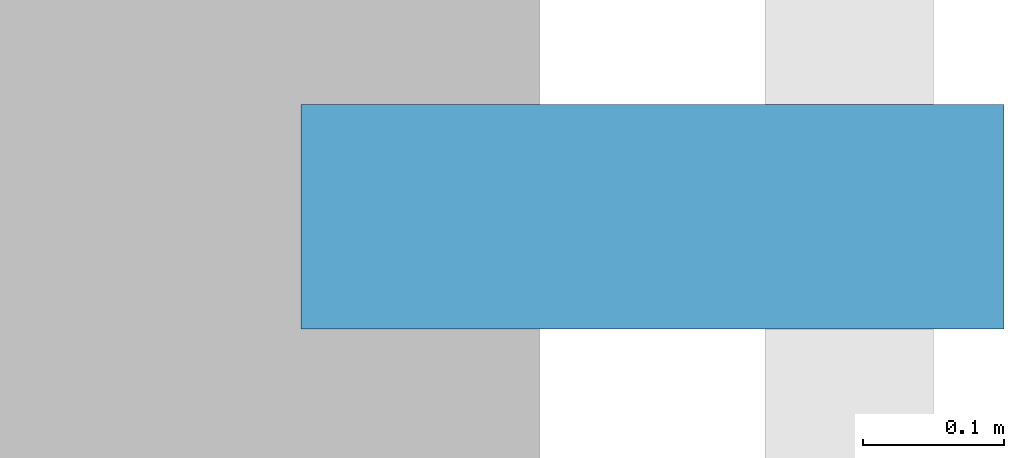
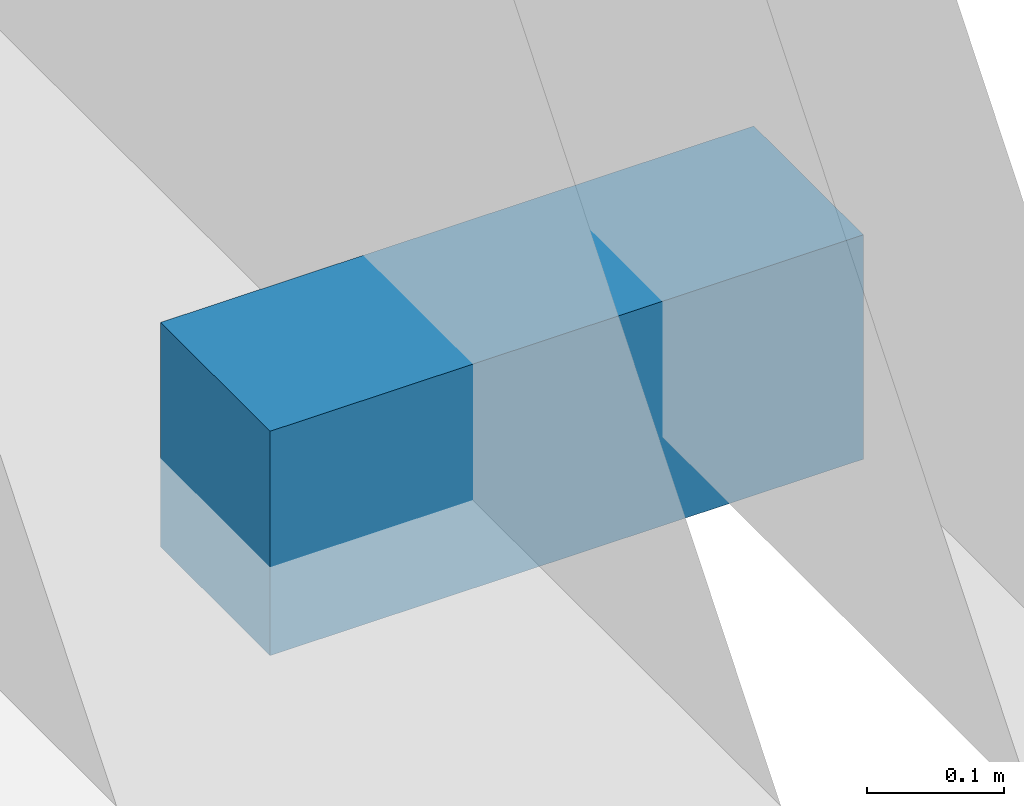
# One storey, part 34 of 40: 1 discrete accessory.
"""IFC4 building model written with IfcOpenShell, lengths in metres."""

import ifcopenshell
import ifcopenshell.guid

model = None  # the IFC model being written
_history = None  # IfcOwnerHistory: only IFC2X3 demands one
_inside = {}  # id of a spatial element -> (the spatial element, [elements in it])
_under = {}  # id of a project, library or spatial element -> (it, [spatial elements below it])
_declared = {}  # id of a project -> (the project, [libraries it declares])
_typed = {}  # id of a type object -> (the type object, [elements of that type])
_made_of = {}  # id of a material, layer set ... -> (it, [elements and type objects made of it])


def new_model(schema):
    """Start an empty IFC model of exactly this schema.

    Asked for "IFC4X3", IfcOpenShell would pick the latest addendum, in which some entities
    have other attributes; the version numbers below select the first issue.
    IFC2X3 requires an IfcOwnerHistory on every rooted entity: one is made here for all.
    """
    global model, _history
    if schema == "IFC4X3":
        model = ifcopenshell.file(schema_version=(4, 3, 0, 0))
    else:
        model = ifcopenshell.file(schema=schema)
    _inside.clear()
    _under.clear()
    _declared.clear()
    _typed.clear()
    _made_of.clear()
    _history = None
    if model.schema == "IFC2X3":
        org = make("IfcOrganization", Name="unknown")
        user = make(
            "IfcPersonAndOrganization",
            ThePerson=make("IfcPerson", FamilyName="unknown"),
            TheOrganization=org,
        )
        app = make(
            "IfcApplication",
            ApplicationDeveloper=org,
            Version="unknown",
            ApplicationFullName="unknown",
            ApplicationIdentifier="unknown",
        )
        _history = make(
            "IfcOwnerHistory",
            OwningUser=user,
            OwningApplication=app,
            ChangeAction="ADDED",
            CreationDate=0,
        )
    return model


def make(cls, **values):
    """One entity of the class cls with the attributes given. An attribute that is None is left unset."""
    return model.create_entity(
        cls, **{name: value for name, value in values.items() if value is not None}
    )


def rooted(cls, **values):
    """An entity with a GlobalId (a new one), such as an element, a storey or a relation."""
    return make(cls, GlobalId=ifcopenshell.guid.new(), OwnerHistory=_history, **values)


def si_unit(unit_type, name, prefix=None):
    """IfcSIUnit, for example si_unit("LENGTHUNIT", "METRE", prefix="MILLI")."""
    return make("IfcSIUnit", UnitType=unit_type, Prefix=prefix, Name=name)


def assignment(units):
    """IfcUnitAssignment: the units of a project."""
    return None if units is None else make("IfcUnitAssignment", Units=units)


def point(xyz):
    """IfcCartesianPoint."""
    return None if xyz is None else make("IfcCartesianPoint", Coordinates=xyz)


def direction(xyz):
    """IfcDirection."""
    return None if xyz is None else make("IfcDirection", DirectionRatios=xyz)


def frame(location, z_axis=None, x_axis=None):
    """IfcAxis2Placement3D, a coordinate frame: its origin and axes. An axis left out is left unset."""
    return make(
        "IfcAxis2Placement3D",
        Location=point(location),
        Axis=direction(z_axis),
        RefDirection=direction(x_axis),
    )


def frame_2d(location, x_axis=None):
    """IfcAxis2Placement2D, a coordinate frame in the plane: its origin and x axis."""
    return make(
        "IfcAxis2Placement2D", Location=point(location), RefDirection=direction(x_axis)
    )


def origin():
    """The frame at (0, 0, 0) with its axes left unset."""
    return frame((0.0, 0.0, 0.0))


def origin_2d():
    """The frame at (0, 0) in the plane with its x axis left unset."""
    return frame_2d((0.0, 0.0))


def place(relative_to, where):
    """IfcLocalPlacement: puts the frame where relative to a parent placement (None: the world)."""
    return make(
        "IfcLocalPlacement", PlacementRelTo=relative_to, RelativePlacement=where
    )


def context(
    kind, dimensions, precision=None, world=None, true_north=None, identifier=None
):
    """IfcGeometricRepresentationContext, for example the 3D "Model" context."""
    return make(
        "IfcGeometricRepresentationContext",
        ContextIdentifier=identifier,
        ContextType=kind,
        CoordinateSpaceDimension=dimensions,
        Precision=precision,
        WorldCoordinateSystem=world,
        TrueNorth=true_north,
    )


def subcontext(parent, identifier, kind, view, scale=None):
    """IfcGeometricRepresentationSubContext, for example "Body" below "Model"."""
    return make(
        "IfcGeometricRepresentationSubContext",
        ContextIdentifier=identifier,
        ContextType=kind,
        ParentContext=parent,
        TargetScale=scale,
        TargetView=view,
    )


def project(units=None, contexts=None):
    """IfcProject with its units and contexts."""
    return rooted(
        "IfcProject",
        Name="project",
        RepresentationContexts=contexts,
        UnitsInContext=assignment(units),
    )


def spatial(cls, under=None, at=None, **own):
    """A site, building, storey or space (cls), placed at a placement, below another one or the project."""
    s = rooted(cls, ObjectPlacement=at, **own)
    if under is not None:
        _under.setdefault(under.id(), (under, []))[1].append(s)
    return s


def profile(cls, at=None, kind="AREA", **sizes):
    """A parametric profile (cls). Its sizes go by their IFC names, for example OverallWidth=200.0."""
    return make(cls, ProfileType=kind, Position=at, **sizes)


def rectangle(**sizes):
    """IfcRectangleProfileDef."""
    return profile("IfcRectangleProfileDef", **sizes)


def extrude(swept, where, along, depth):
    """IfcExtrudedAreaSolid: the profile swept, set in the frame where, extruded along a direction by depth."""
    return make(
        "IfcExtrudedAreaSolid",
        SweptArea=swept,
        Position=where,
        ExtrudedDirection=direction(along),
        Depth=depth,
    )


def shape(context_of_items, identifier, shape_type, items):
    """IfcShapeRepresentation: the items that make up one representation, for example the "Body"."""
    return make(
        "IfcShapeRepresentation",
        ContextOfItems=context_of_items,
        RepresentationIdentifier=identifier,
        RepresentationType=shape_type,
        Items=items,
    )


def material(Name=None, Category=None):
    """IfcMaterial."""
    return make("IfcMaterial", Name=Name, Category=Category)


def made_of(thing, what):
    """Note that an element or type object is made of a material, layer set ...; save() writes the relation."""
    if what is not None:
        _made_of.setdefault(what.id(), (what, []))[1].append(thing)
    return thing


def type_object(cls, material=None, **own):
    """A type object (cls), such as IfcWallType, which elements share."""
    return made_of(rooted(cls, **own), material)


def element(
    cls,
    number,
    at=None,
    inside=None,
    cuts=None,
    type_object=None,
    material=None,
    context=None,
    identifier="Body",
    shape_type=None,
    held_by="IfcProductDefinitionShape",
    body=None,
    shapes=None,
    **own,
):
    """One element of the class cls, such as IfcWall. Its Tag is "e" and its number.

    at: its placement. inside: the storey or other place that contains it. cuts: it is an
    opening in that element (IfcRelVoidsElement). A single representation is given by context,
    identifier, shape_type and body (its items); several are given by shapes. held_by: the class
    of the entity that holds the representations. save() writes the other relations.
    """
    e = rooted(cls, Tag="e%d" % number, ObjectPlacement=at, **own)
    if body is not None:
        shapes = [shape(context, identifier, shape_type, body)]
    if shapes is not None:
        e.Representation = make(held_by, Representations=shapes)
    if inside is not None:
        _inside.setdefault(inside.id(), (inside, []))[1].append(e)
    if cuts is not None:
        rooted(
            "IfcRelVoidsElement", RelatingBuildingElement=cuts, RelatedOpeningElement=e
        )
    if type_object is not None:
        _typed.setdefault(type_object.id(), (type_object, []))[1].append(e)
    return made_of(e, material)


def aggregate(whole, parts):
    """IfcRelAggregates: a whole, such as a stair, and the parts it consists of."""
    return rooted("IfcRelAggregates", RelatingObject=whole, RelatedObjects=parts)


def save(model, path):
    """Write the relations noted so far, then the file.

    IfcRelAggregates (storeys below a building ...), IfcRelContainedInSpatialStructure (elements
    in a storey), IfcRelDefinesByType, IfcRelAssociatesMaterial and IfcRelDeclares: one each for
    every whole, place, type object, material and project.
    """
    for whole, parts in _under.values():
        aggregate(whole, parts)
    for where, things in _inside.values():
        rooted(
            "IfcRelContainedInSpatialStructure",
            RelatedElements=things,
            RelatingStructure=where,
        )
    for kind, things in _typed.values():
        rooted("IfcRelDefinesByType", RelatedObjects=things, RelatingType=kind)
    for what, things in _made_of.values():
        rooted("IfcRelAssociatesMaterial", RelatedObjects=things, RelatingMaterial=what)
    for by, libraries in _declared.values():
        rooted("IfcRelDeclares", RelatingContext=by, RelatedDefinitions=libraries)
    model.write(path)


model = new_model("IFC4")

# Units and contexts
model_context = context("Model", 3, precision=1e-05, world=origin(), true_north=direction((0.0, 1.0)))
body_context = subcontext(model_context, "Body", "Model", "MODEL_VIEW")
ifc_project = project(units=[si_unit("LENGTHUNIT", "METRE"), si_unit("AREAUNIT", "SQUARE_METRE"), si_unit("VOLUMEUNIT", "CUBIC_METRE"), si_unit("PLANEANGLEUNIT", "RADIAN"), si_unit("MASSUNIT", "GRAM", prefix="KILO")], contexts=[model_context])

# Site, building, storey
site_placement = place(None, origin())
site = spatial("IfcSite", under=ifc_project, at=site_placement, CompositionType="ELEMENT")
building_placement = place(site_placement, origin())
building = spatial("IfcBuilding", under=site, at=building_placement, Name="Narakoshi Arena Tower", CompositionType="ELEMENT")
storey_placement = place(building_placement, frame((0.0, 0.0, 21.60009765625)))
storey = spatial("IfcBuildingStorey", under=building, at=storey_placement, Name="L05", CompositionType="ELEMENT", Elevation=21.60009765625)

# Discrete accessory
ifc_material = material(Name="Structural steel S355J2", Category="steel")
discrete_accessory_type = type_object("IfcDiscreteAccessoryType", Name="ACC-BRK-SCR", PredefinedType="BRACKET", material=ifc_material)
discrete_accessory_placement = place(storey_placement, frame((126.080078125, 62.0, -0.080078125), z_axis=(0.0, 0.0, 1.0), x_axis=(0.0, 1.0, 0.0)))
element("IfcDiscreteAccessory", 1, at=discrete_accessory_placement, inside=storey, type_object=discrete_accessory_type, Name="L05 Solar Screen Support Bracket SHD-L05-LVR-E3", PredefinedType="BRACKET", context=body_context, shape_type="SweptSolid", body=[
    extrude(rectangle(XDim=0.159912109375, YDim=0.5, at=origin_2d()), origin(), (0.0, 0.0, 1.0), 0.199951171875),
])

save(model, "model.ifc")
